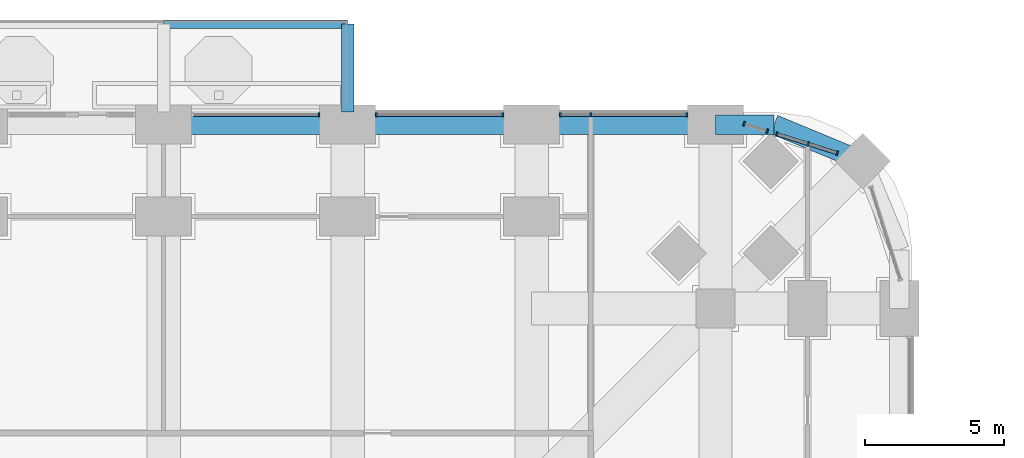
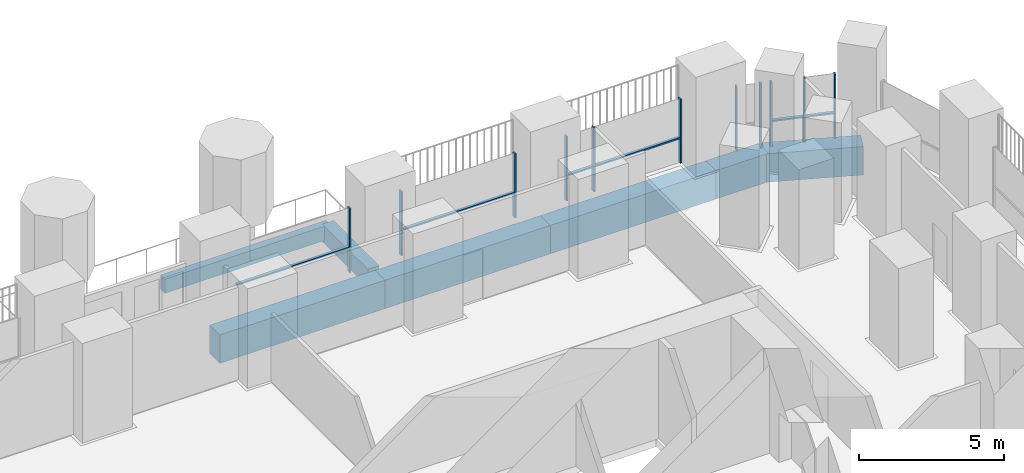
# One storey, part 9 of 24: 17 members, 7 beams, 5 elements without a shape of their own.
"""IFC4 building model written with IfcOpenShell, lengths in metres."""

from ifc_helpers import new_model, si_unit, direction, frame, origin, origin_2d, place, context, subcontext, project, spatial, rectangle, extrude, material, material_profile, profile_set, type_object, element, aggregate, save


model = new_model("IFC4")

# Units and contexts
model_context = context("Model", 3, precision=1e-05, world=origin(), true_north=direction((0.0, 1.0)))
body_context = subcontext(model_context, "Body", "Model", "MODEL_VIEW")
ifc_project = project(units=[si_unit("LENGTHUNIT", "METRE"), si_unit("AREAUNIT", "SQUARE_METRE"), si_unit("VOLUMEUNIT", "CUBIC_METRE"), si_unit("PLANEANGLEUNIT", "RADIAN"), si_unit("MASSUNIT", "GRAM", prefix="KILO")], contexts=[model_context])

# Site, building, storey
site_placement = place(None, origin())
site = spatial("IfcSite", under=ifc_project, at=site_placement, CompositionType="ELEMENT")
building_placement = place(site_placement, origin())
building = spatial("IfcBuilding", under=site, at=building_placement, Name="Cobogo Forest Laboratory Tower", CompositionType="ELEMENT")
storey_placement = place(building_placement, frame((0.0, 0.0, 17.10009765625)))
storey = spatial("IfcBuildingStorey", under=building, at=storey_placement, Name="L03", CompositionType="ELEMENT", Elevation=17.10009765625)

# Beams
ifc_material_1 = material(Name="Concrete HA-40 (C40/50)", Category="concrete")
ifc_material_profile_1 = material_profile(ifc_material_1, rectangle(XDim=0.449951171875, YDim=0.75, at=origin_2d()), Name="RC 450x750")
ifc_profile_set_1 = profile_set([ifc_material_profile_1], Name="Concrete HA-40 (C40/50)")
beam_type_1 = type_object("IfcBeamType", Name="Balcony cantilever beam 450x750", PredefinedType="BEAM", material=ifc_profile_set_1)
beam_1_placement = place(storey_placement, frame((33.0, 46.64990234375, -0.625), z_axis=(0.0, 1.0, 0.0), x_axis=(-1.0, 0.0, 0.0)))
element("IfcBeam", 1, at=beam_1_placement, inside=storey, type_object=beam_type_1, Name="CB1 BAL-N1-C3 L03", PredefinedType="BEAM", context=body_context, shape_type="SweptSolid", body=[
    extrude(rectangle(XDim=0.449951171875, YDim=0.75, at=origin_2d()), origin(), (0.0, 0.0, 1.0), 3.150146484375),
])
ifc_material_profile_2 = material_profile(ifc_material_1, rectangle(XDim=0.300048828125, YDim=0.60009765625, at=origin_2d()), Name="RC 300x600")
ifc_profile_set_2 = profile_set([ifc_material_profile_2], Name="Concrete HA-40 (C40/50)")
beam_type_2 = type_object("IfcBeamType", Name="Balcony edge beam 300x600", PredefinedType="BEAM", material=ifc_profile_set_2)
beam_2_placement = place(storey_placement, frame((26.39990234375, 49.800048828125, -0.550048828125), z_axis=(1.0, 0.0, 0.0), x_axis=(0.0, 1.0, 0.0)))
element("IfcBeam", 2, at=beam_2_placement, inside=storey, type_object=beam_type_2, Name="BB1 BAL-N1-T2 L03", PredefinedType="BEAM", context=body_context, shape_type="SweptSolid", body=[
    extrude(rectangle(XDim=0.300048828125, YDim=0.60009765625, at=origin_2d()), origin(), (0.0, 0.0, 1.0), 6.60009765625),
])

# Curtain wall, members
ifc_material_2 = material(Name="Aluminium curtain wall", Category="aluminium")
curtain_wall_type = type_object("IfcCurtainWallType", Name="CW-1 unitised curtain wall, clear glazing, laboratory floors zones A and B", PredefinedType="USERDEFINED", material=ifc_material_2)
curtain_wall_1_placement = place(storey_placement, origin())
curtain_wall_1 = element("IfcCurtainWall", 3, at=curtain_wall_1_placement, inside=storey, type_object=curtain_wall_type, Name="Curtain wall 16 L03", ObjectType="UNITISED CURTAIN WALL", PredefinedType="USERDEFINED")
ifc_material_3 = material(Name="Aluminium mullion", Category="aluminium")
ifc_material_profile_3 = material_profile(ifc_material_3, rectangle(XDim=0.06005859375, YDim=0.159912109375, at=origin_2d()), Name="AL 60x160")
ifc_profile_set_3 = profile_set([ifc_material_profile_3], Name="Aluminium mullion")
member_type_1 = type_object("IfcMemberType", Name="MU-1 aluminium mullion 60x160", PredefinedType="MULLION", material=ifc_profile_set_3)
member_1_placement = place(storey_placement, frame((50.561279296875, 45.1728515625, 0.0), z_axis=(0.0, 0.0, 1.0), x_axis=(-0.953581409645, 0.301135343623, 0.0)))
member_1 = element("IfcMember", 4, at=member_1_placement, type_object=member_type_1, Name="CW-1 mullion 1", PredefinedType="MULLION", context=body_context, shape_type="SweptSolid", body=[
    extrude(rectangle(XDim=0.06005859375, YDim=0.159912109375, at=origin_2d()), origin(), (0.0, 0.0, 1.0), 2.699951171875),
])
member_2_placement = place(storey_placement, frame((49.524169921875, 45.500244140625, 0.0), z_axis=(0.0, 0.0, 1.0), x_axis=(-0.953581409645, 0.301135343623, 0.0)))
member_2 = element("IfcMember", 5, at=member_2_placement, type_object=member_type_1, Name="CW-1 mullion 2", PredefinedType="MULLION", context=body_context, shape_type="SweptSolid", body=[
    extrude(rectangle(XDim=0.06005859375, YDim=0.159912109375, at=origin_2d()), origin(), (0.0, 0.0, 1.0), 2.699951171875),
])
member_3_placement = place(storey_placement, frame((48.403076171875, 45.854248046875, 0.0), z_axis=(0.0, 0.0, 1.0), x_axis=(-0.953581409645, 0.301135343623, 0.0)))
member_3 = element("IfcMember", 6, at=member_3_placement, type_object=member_type_1, Name="CW-1 mullion 3", PredefinedType="MULLION", context=body_context, shape_type="SweptSolid", body=[
    extrude(rectangle(XDim=0.06005859375, YDim=0.159912109375, at=origin_2d()), origin(), (0.0, 0.0, 1.0), 2.699951171875),
])

curtain_wall_2_placement = place(storey_placement, origin())
curtain_wall_2 = element("IfcCurtainWall", 7, at=curtain_wall_2_placement, inside=storey, type_object=curtain_wall_type, Name="Curtain wall 17 L03", ObjectType="UNITISED CURTAIN WALL", PredefinedType="USERDEFINED")
member_4_placement = place(storey_placement, frame((48.05322265625, 45.96484375, 0.0), z_axis=(0.0, 0.0, 1.0), x_axis=(-0.953581406818, 0.301135352577, 0.0)))
member_4 = element("IfcMember", 8, at=member_4_placement, type_object=member_type_1, Name="CW-1 mullion 1", PredefinedType="MULLION", context=body_context, shape_type="SweptSolid", body=[
    extrude(rectangle(XDim=0.06005859375, YDim=0.159912109375, at=origin_2d()), origin(), (0.0, 0.0, 1.0), 2.699951171875),
])
member_5_placement = place(storey_placement, frame((47.228515625, 46.22509765625, 0.0), z_axis=(0.0, 0.0, 1.0), x_axis=(-0.953581406818, 0.301135352577, 0.0)))
member_5 = element("IfcMember", 9, at=member_5_placement, type_object=member_type_1, Name="CW-1 mullion 2", PredefinedType="MULLION", context=body_context, shape_type="SweptSolid", body=[
    extrude(rectangle(XDim=0.06005859375, YDim=0.159912109375, at=origin_2d()), origin(), (0.0, 0.0, 1.0), 2.699951171875),
])
aggregate(curtain_wall_2, [member_4, member_5])

curtain_wall_3_placement = place(storey_placement, origin())
curtain_wall_3 = element("IfcCurtainWall", 10, at=curtain_wall_3_placement, inside=storey, type_object=curtain_wall_type, Name="Curtain wall 18 L03", ObjectType="UNITISED CURTAIN WALL", PredefinedType="USERDEFINED")
member_6_placement = place(storey_placement, frame((45.169921875, 46.550048828125, 0.0), z_axis=(0.0, 0.0, 1.0), x_axis=(-1.0, 0.0, 0.0)))
member_6 = element("IfcMember", 11, at=member_6_placement, type_object=member_type_1, Name="CW-1 mullion 1", PredefinedType="MULLION", context=body_context, shape_type="SweptSolid", body=[
    extrude(rectangle(XDim=0.06005859375, YDim=0.159912109375, at=origin_2d()), origin(), (0.0, 0.0, 1.0), 2.699951171875),
])
member_7_placement = place(storey_placement, frame((41.72509765625, 46.550048828125, 0.0), z_axis=(0.0, 0.0, 1.0), x_axis=(-1.0, 0.0, 0.0)))
member_7 = element("IfcMember", 12, at=member_7_placement, type_object=member_type_1, Name="CW-1 mullion 2", PredefinedType="MULLION", context=body_context, shape_type="SweptSolid", body=[
    extrude(rectangle(XDim=0.06005859375, YDim=0.159912109375, at=origin_2d()), origin(), (0.0, 0.0, 1.0), 2.699951171875),
])
member_8_placement = place(storey_placement, frame((40.6298828125, 46.550048828125, 0.0), z_axis=(0.0, 0.0, 1.0), x_axis=(-1.0, 0.0, 0.0)))
member_8 = element("IfcMember", 13, at=member_8_placement, type_object=member_type_1, Name="CW-1 mullion 3", PredefinedType="MULLION", context=body_context, shape_type="SweptSolid", body=[
    extrude(rectangle(XDim=0.06005859375, YDim=0.159912109375, at=origin_2d()), origin(), (0.0, 0.0, 1.0), 2.699951171875),
])

curtain_wall_4_placement = place(storey_placement, origin())
curtain_wall_4 = element("IfcCurtainWall", 14, at=curtain_wall_4_placement, inside=storey, type_object=curtain_wall_type, Name="Curtain wall 19 L03", ObjectType="UNITISED CURTAIN WALL", PredefinedType="USERDEFINED")
member_9_placement = place(storey_placement, frame((38.570068359375, 46.550048828125, 0.0), z_axis=(0.0, 0.0, 1.0), x_axis=(-1.0, 0.0, 0.0)))
member_9 = element("IfcMember", 15, at=member_9_placement, type_object=member_type_1, Name="CW-1 mullion 1", PredefinedType="MULLION", context=body_context, shape_type="SweptSolid", body=[
    extrude(rectangle(XDim=0.06005859375, YDim=0.159912109375, at=origin_2d()), origin(), (0.0, 0.0, 1.0), 2.699951171875),
])
member_10_placement = place(storey_placement, frame((34.030029296875, 46.550048828125, 0.0), z_axis=(0.0, 0.0, 1.0), x_axis=(-1.0, 0.0, 0.0)))
member_10 = element("IfcMember", 16, at=member_10_placement, type_object=member_type_1, Name="CW-1 mullion 2", PredefinedType="MULLION", context=body_context, shape_type="SweptSolid", body=[
    extrude(rectangle(XDim=0.06005859375, YDim=0.159912109375, at=origin_2d()), origin(), (0.0, 0.0, 1.0), 2.699951171875),
])

# Curtain wall, member
curtain_wall_5_placement = place(storey_placement, origin())
curtain_wall_5 = element("IfcCurtainWall", 17, at=curtain_wall_5_placement, inside=storey, type_object=curtain_wall_type, Name="Curtain wall 20 L03", ObjectType="UNITISED CURTAIN WALL", PredefinedType="USERDEFINED")
member_11_placement = place(storey_placement, frame((31.969970703125, 46.550048828125, 0.0), z_axis=(0.0, 0.0, 1.0), x_axis=(-1.0, 0.0, 0.0)))
member_11 = element("IfcMember", 18, at=member_11_placement, type_object=member_type_1, Name="CW-1 mullion 1", PredefinedType="MULLION", context=body_context, shape_type="SweptSolid", body=[
    extrude(rectangle(XDim=0.06005859375, YDim=0.159912109375, at=origin_2d()), origin(), (0.0, 0.0, 1.0), 2.699951171875),
])

# Beams
ifc_material_profile_4 = material_profile(ifc_material_1, rectangle(XDim=0.699951171875, YDim=1.199951171875, at=origin_2d()), Name="RC 700x1200")
ifc_profile_set_4 = profile_set([ifc_material_profile_4], Name="Concrete HA-40 (C40/50)")
beam_type_3 = type_object("IfcBeamType", Name="Perimeter edge beam 700x1200", PredefinedType="BEAM", material=ifc_profile_set_4)
for number, where, z_axis, x_axis, name in (
    (19, (26.39990234375, 46.199951171875, -0.900146484375), (1.0, 0.0, 0.0), (0.0, 1.0, 0.0), "EB1 E-N4 L03"),
    (20, (33.0, 46.199951171875, -0.900146484375), (1.0, 0.0, 0.0), (0.0, 1.0, 0.0), "EB1 E-N5 L03"),
):
    element("IfcBeam", number, at=place(storey_placement, frame(where, z_axis=z_axis, x_axis=x_axis)), inside=storey, type_object=beam_type_3, Name=name, PredefinedType="BEAM", context=body_context, shape_type="SweptSolid", body=[
        extrude(rectangle(XDim=0.699951171875, YDim=1.199951171875, at=origin_2d()), origin(), (0.0, 0.0, 1.0), 6.60009765625),
    ])
beam_3_placement = place(storey_placement, frame((39.60009765625, 46.199951171875, -0.900146484375), z_axis=(1.0, 0.0, 0.0), x_axis=(0.0, 1.0, 0.0)))
element("IfcBeam", 21, at=beam_3_placement, inside=storey, type_object=beam_type_3, Name="EB1 E-N6 L03", PredefinedType="BEAM", context=body_context, shape_type="SweptSolid", body=[
    extrude(rectangle(XDim=0.699951171875, YDim=1.199951171875, at=origin_2d()), origin(), (0.0, 0.0, 1.0), 6.599853515625),
])
beam_4_placement = place(storey_placement, frame((46.199951171875, 46.199951171875, -0.900146484375), z_axis=(1.0, 0.0, 0.0), x_axis=(0.0, 1.0, 0.0)))
element("IfcBeam", 22, at=beam_4_placement, inside=storey, type_object=beam_type_3, Name="EB1 E-NEN1 L03", PredefinedType="BEAM", context=body_context, shape_type="SweptSolid", body=[
    extrude(rectangle(XDim=0.699951171875, YDim=1.199951171875, at=origin_2d()), origin(), (0.0, 0.0, 1.0), 2.10009765625),
])
beam_5_placement = place(storey_placement, frame((48.300048828125, 46.199951171875, -0.900146484375), z_axis=(0.923890694089, -0.382656484822, 0.0), x_axis=(0.382656484822, 0.923890694089, 0.0)))
element("IfcBeam", 23, at=beam_5_placement, inside=storey, type_object=beam_type_3, Name="EB1 E-NEN2 L03", PredefinedType="BEAM", context=body_context, shape_type="SweptSolid", body=[
    extrude(rectangle(XDim=0.699951171875, YDim=1.199951171875, at=origin_2d()), origin(), (0.0, 0.0, 1.0), 3.444091796875),
])

# Member
ifc_material_4 = material(Name="Aluminium transom", Category="aluminium")
ifc_material_profile_5 = material_profile(ifc_material_4, rectangle(XDim=0.1201171875, YDim=0.06005859375, at=origin_2d()), Name="AL 60x120")
ifc_profile_set_5 = profile_set([ifc_material_profile_5], Name="Aluminium transom")
member_type_2 = type_object("IfcMemberType", Name="TR-1 aluminium transom 60x120", PredefinedType="USERDEFINED", material=ifc_profile_set_5)
member_12_placement = place(storey_placement, frame((50.53271484375, 45.181884765625, 1.0498046875), z_axis=(-0.953622152866, 0.301006294888, 0.0), x_axis=(-0.301006294888, -0.953622152866, 0.0)))
member_12 = element("IfcMember", 24, at=member_12_placement, type_object=member_type_2, Name="CW-1 transom 1.1", ObjectType="TRANSOM", PredefinedType="USERDEFINED", context=body_context, shape_type="SweptSolid", body=[
    extrude(rectangle(XDim=0.1201171875, YDim=0.06005859375, at=origin_2d()), origin(), (0.0, 0.0, 1.0), 1.027587890625),
])

member_13_placement = place(storey_placement, frame((49.495361328125, 45.50927734375, 1.0498046875), z_axis=(-0.953576049467, 0.301152316747, 0.0), x_axis=(-0.301152316747, -0.953576049467, 0.0)))
member_13 = element("IfcMember", 25, at=member_13_placement, type_object=member_type_2, Name="CW-1 transom 2.1", ObjectType="TRANSOM", PredefinedType="USERDEFINED", context=body_context, shape_type="SweptSolid", body=[
    extrude(rectangle(XDim=0.1201171875, YDim=0.06005859375, at=origin_2d()), origin(), (0.0, 0.0, 1.0), 1.115478515625),
])

aggregate(curtain_wall_1, [member_1, member_2, member_3, member_12, member_13])

member_14_placement = place(storey_placement, frame((45.139892578125, 46.550048828125, 1.0498046875), z_axis=(-1.0, 0.0, 0.0), x_axis=(0.0, -1.0, 0.0)))
member_14 = element("IfcMember", 26, at=member_14_placement, type_object=member_type_2, Name="CW-1 transom 1.1", ObjectType="TRANSOM", PredefinedType="USERDEFINED", context=body_context, shape_type="SweptSolid", body=[
    extrude(rectangle(XDim=0.1201171875, YDim=0.06005859375, at=origin_2d()), origin(), (0.0, 0.0, 1.0), 3.385009765625),
])

member_15_placement = place(storey_placement, frame((41.695068359375, 46.550048828125, 1.0498046875), z_axis=(-1.0, 0.0, 0.0), x_axis=(0.0, -1.0, 0.0)))
member_15 = element("IfcMember", 27, at=member_15_placement, type_object=member_type_2, Name="CW-1 transom 2.1", ObjectType="TRANSOM", PredefinedType="USERDEFINED", context=body_context, shape_type="SweptSolid", body=[
    extrude(rectangle(XDim=0.1201171875, YDim=0.06005859375, at=origin_2d()), origin(), (0.0, 0.0, 1.0), 1.03515625),
])

aggregate(curtain_wall_3, [member_6, member_7, member_8, member_14, member_15])

member_16_placement = place(storey_placement, frame((38.5400390625, 46.550048828125, 1.0498046875), z_axis=(-1.0, 0.0, 0.0), x_axis=(0.0, -1.0, 0.0)))
member_16 = element("IfcMember", 28, at=member_16_placement, type_object=member_type_2, Name="CW-1 transom 1.1", ObjectType="TRANSOM", PredefinedType="USERDEFINED", context=body_context, shape_type="SweptSolid", body=[
    extrude(rectangle(XDim=0.1201171875, YDim=0.06005859375, at=origin_2d()), origin(), (0.0, 0.0, 1.0), 4.47998046875),
])

aggregate(curtain_wall_4, [member_9, member_10, member_16])

member_17_placement = place(storey_placement, frame((31.93994140625, 46.550048828125, 1.0498046875), z_axis=(-1.0, 0.0, 0.0), x_axis=(0.0, -1.0, 0.0)))
member_17 = element("IfcMember", 29, at=member_17_placement, type_object=member_type_2, Name="CW-1 transom 1.1", ObjectType="TRANSOM", PredefinedType="USERDEFINED", context=body_context, shape_type="SweptSolid", body=[
    extrude(rectangle(XDim=0.1201171875, YDim=0.06005859375, at=origin_2d()), origin(), (0.0, 0.0, 1.0), 4.47998046875),
])

aggregate(curtain_wall_5, [member_11, member_17])

save(model, "model.ifc")
